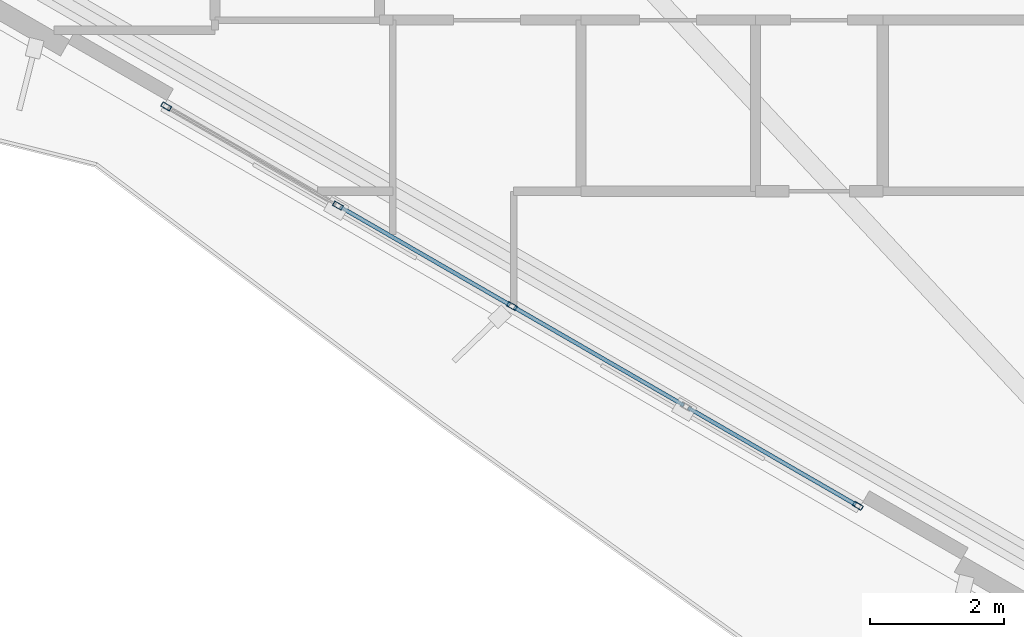
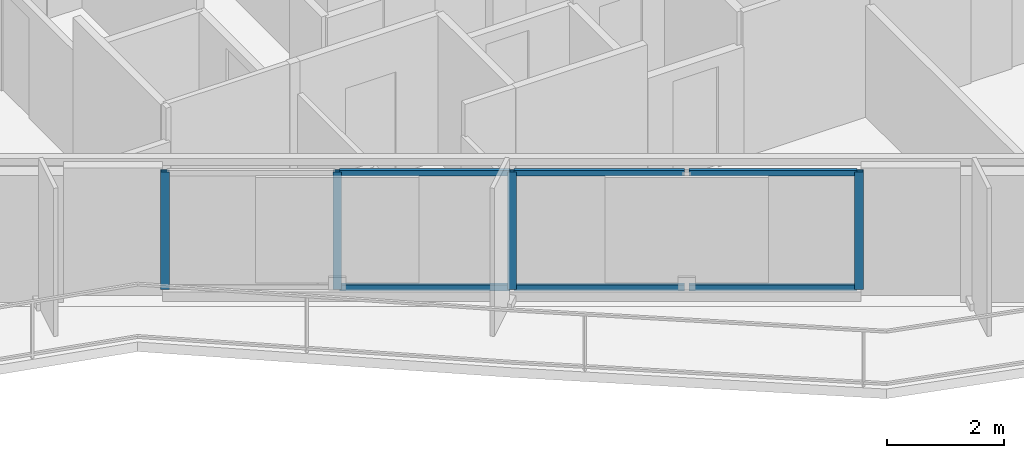
# One storey, part 2 of 19: 10 members, 1 element without a shape of its own.
"""IFC4 building model written with IfcOpenShell, lengths in metres."""

from ifc_helpers import new_model, si_unit, direction, frame, origin, origin_2d, place, context, subcontext, project, spatial, hollow_rectangle, extrude, material, layer, layer_set, material_profile, profile_set, type_object, element, aggregate, save


model = new_model("IFC4")

# Units and contexts
model_context = context("Model", 3, precision=1e-05, world=origin(), true_north=direction((0.0, 1.0)))
body_context = subcontext(model_context, "Body", "Model", "MODEL_VIEW")
ifc_project = project(units=[si_unit("LENGTHUNIT", "METRE"), si_unit("AREAUNIT", "SQUARE_METRE"), si_unit("VOLUMEUNIT", "CUBIC_METRE"), si_unit("PLANEANGLEUNIT", "RADIAN"), si_unit("MASSUNIT", "GRAM", prefix="KILO")], contexts=[model_context])

# Site, building, storey
site_placement = place(None, origin())
site = spatial("IfcSite", under=ifc_project, at=site_placement, CompositionType="ELEMENT")
building_placement = place(site_placement, origin())
building = spatial("IfcBuilding", under=site, at=building_placement, Name="Mersakhor Tower and Convention Hall", CompositionType="ELEMENT")
storey_placement = place(building_placement, frame((0.0, 0.0, 22.5)))
storey = spatial("IfcBuildingStorey", under=building, at=storey_placement, Name="L05", CompositionType="ELEMENT", Elevation=22.5)

# Curtain wall, members
ifc_material_1 = material(Name="Dark solar low-E aluminium curtain wall", Category="aluminium")
ifc_layer = layer(ifc_material_1, 0.159912109375)
ifc_layer_set = layer_set([ifc_layer], Name="Dark solar low-E aluminium curtain wall")
curtain_wall_type = type_object("IfcCurtainWallType", Name="CW-SYS-01", PredefinedType="USERDEFINED", material=ifc_layer_set)
curtain_wall_placement = place(storey_placement, origin())
curtain_wall = element("IfcCurtainWall", 1, at=curtain_wall_placement, inside=storey, type_object=curtain_wall_type, Name="L05 Dark-Glass Curtain Wall F3-B2", ObjectType="CURTAIN WALL", PredefinedType="USERDEFINED")
ifc_material_2 = material(Name="Anodised aluminium EN AW-6063 T6", Category="aluminium")
ifc_material_profile_1 = material_profile(ifc_material_2, hollow_rectangle(XDim=0.074951171875, YDim=0.14990234375, WallThickness=0.00634765625, at=origin_2d()), Name="RHS 150x75x6.3")
ifc_profile_set_1 = profile_set([ifc_material_profile_1], Name="Anodised aluminium EN AW-6063 T6")
member_type_1 = type_object("IfcMemberType", Name="CWM-150x75", PredefinedType="MULLION", material=ifc_profile_set_1)
member_1_placement = place(storey_placement, frame((26.72705078125, 10.9150390625, 0.199951171875), z_axis=(0.0, 0.0, 1.0), x_axis=(-0.50000344889, -0.866023412558, 0.0)))
member_1 = element("IfcMember", 2, at=member_1_placement, type_object=member_type_1, Name="CW-01 mullion 1", PredefinedType="MULLION", context=body_context, shape_type="SweptSolid", body=[
    extrude(hollow_rectangle(XDim=0.074951171875, YDim=0.14990234375, WallThickness=0.00634765625, at=origin_2d()), origin(), (0.0, 0.0, 1.0), 2.4599609375),
])
member_2_placement = place(storey_placement, frame((21.574951171875, 13.889404296875, 0.199951171875), z_axis=(0.0, 0.0, 1.0), x_axis=(-0.50000344889, -0.866023412558, 0.0)))
member_2 = element("IfcMember", 3, at=member_2_placement, type_object=member_type_1, Name="CW-01 mullion 3", PredefinedType="MULLION", context=body_context, shape_type="SweptSolid", body=[
    extrude(hollow_rectangle(XDim=0.074951171875, YDim=0.14990234375, WallThickness=0.00634765625, at=origin_2d()), origin(), (0.0, 0.0, 1.0), 2.4599609375),
])
member_3_placement = place(storey_placement, frame((18.982666015625, 15.38623046875, 0.199951171875), z_axis=(0.0, 0.0, 1.0), x_axis=(-0.50000344889, -0.866023412558, 0.0)))
member_3 = element("IfcMember", 4, at=member_3_placement, type_object=member_type_1, Name="CW-01 mullion 4", PredefinedType="MULLION", context=body_context, shape_type="SweptSolid", body=[
    extrude(hollow_rectangle(XDim=0.074951171875, YDim=0.14990234375, WallThickness=0.00634765625, at=origin_2d()), origin(), (0.0, 0.0, 1.0), 2.4599609375),
])
member_4_placement = place(storey_placement, frame((16.423095703125, 16.864013671875, 0.199951171875), z_axis=(0.0, 0.0, 1.0), x_axis=(-0.50000344889, -0.866023412558, 0.0)))
member_4 = element("IfcMember", 5, at=member_4_placement, type_object=member_type_1, Name="CW-01 mullion 5", PredefinedType="MULLION", context=body_context, shape_type="SweptSolid", body=[
    extrude(hollow_rectangle(XDim=0.074951171875, YDim=0.14990234375, WallThickness=0.00634765625, at=origin_2d()), origin(), (0.0, 0.0, 1.0), 2.4599609375),
])
ifc_material_3 = material(Name="Anodised aluminium EN AW-6063 T6", Category="aluminium")
ifc_material_profile_2 = material_profile(ifc_material_3, hollow_rectangle(XDim=0.06005859375, YDim=0.1201171875, WallThickness=0.0048828125, at=origin_2d()), Name="RHS 120x60x5")
ifc_profile_set_2 = profile_set([ifc_material_profile_2], Name="Anodised aluminium EN AW-6063 T6")
member_type_2 = type_object("IfcMemberType", Name="CWT-120x60", PredefinedType="USERDEFINED", material=ifc_profile_set_2)
member_5_placement = place(storey_placement, frame((26.694580078125, 10.93359375, 0.22998046875), z_axis=(-0.866023290103, 0.500003660985, 0.0), x_axis=(-0.500003660985, -0.866023290103, 0.0)))
member_5 = element("IfcMember", 6, at=member_5_placement, type_object=member_type_2, Name="CW-01 transom 1.1", ObjectType="TRANSOM", PredefinedType="USERDEFINED", context=body_context, shape_type="SweptSolid", body=[
    extrude(hollow_rectangle(XDim=0.06005859375, YDim=0.1201171875, WallThickness=0.0048828125, at=origin_2d()), origin(), (0.0, 0.0, 1.0), 2.880859375),
])
member_6_placement = place(storey_placement, frame((26.694580078125, 10.93359375, 2.6298828125), z_axis=(-0.866023290103, 0.500003660985, 0.0), x_axis=(-0.500003660985, -0.866023290103, 0.0)))
member_6 = element("IfcMember", 7, at=member_6_placement, type_object=member_type_2, Name="CW-01 transom 1.2", ObjectType="TRANSOM", PredefinedType="USERDEFINED", context=body_context, shape_type="SweptSolid", body=[
    extrude(hollow_rectangle(XDim=0.06005859375, YDim=0.1201171875, WallThickness=0.0048828125, at=origin_2d()), origin(), (0.0, 0.0, 1.0), 2.880859375),
])
member_7_placement = place(storey_placement, frame((24.134765625, 12.41162109375, 0.22998046875), z_axis=(-0.866015622527, 0.500016941252, 0.0), x_axis=(-0.500016941252, -0.866015622527, 0.0)))
member_7 = element("IfcMember", 8, at=member_7_placement, type_object=member_type_2, Name="CW-01 transom 2.1", ObjectType="TRANSOM", PredefinedType="USERDEFINED", context=body_context, shape_type="SweptSolid", body=[
    extrude(hollow_rectangle(XDim=0.06005859375, YDim=0.1201171875, WallThickness=0.0048828125, at=origin_2d()), origin(), (0.0, 0.0, 1.0), 2.91845703125),
])
member_8_placement = place(storey_placement, frame((24.134765625, 12.41162109375, 2.6298828125), z_axis=(-0.866015622527, 0.500016941252, 0.0), x_axis=(-0.500016941252, -0.866015622527, 0.0)))
member_8 = element("IfcMember", 9, at=member_8_placement, type_object=member_type_2, Name="CW-01 transom 2.2", ObjectType="TRANSOM", PredefinedType="USERDEFINED", context=body_context, shape_type="SweptSolid", body=[
    extrude(hollow_rectangle(XDim=0.06005859375, YDim=0.1201171875, WallThickness=0.0048828125, at=origin_2d()), origin(), (0.0, 0.0, 1.0), 2.91845703125),
])
member_9_placement = place(storey_placement, frame((21.54248046875, 13.908203125, 0.22998046875), z_axis=(-0.866015622527, 0.500016941252, 0.0), x_axis=(-0.500016941252, -0.866015622527, 0.0)))
member_9 = element("IfcMember", 10, at=member_9_placement, type_object=member_type_2, Name="CW-01 transom 3.1", ObjectType="TRANSOM", PredefinedType="USERDEFINED", context=body_context, shape_type="SweptSolid", body=[
    extrude(hollow_rectangle(XDim=0.06005859375, YDim=0.1201171875, WallThickness=0.0048828125, at=origin_2d()), origin(), (0.0, 0.0, 1.0), 2.91845703125),
])
member_10_placement = place(storey_placement, frame((21.54248046875, 13.908203125, 2.6298828125), z_axis=(-0.866015622527, 0.500016941252, 0.0), x_axis=(-0.500016941252, -0.866015622527, 0.0)))
member_10 = element("IfcMember", 11, at=member_10_placement, type_object=member_type_2, Name="CW-01 transom 3.2", ObjectType="TRANSOM", PredefinedType="USERDEFINED", context=body_context, shape_type="SweptSolid", body=[
    extrude(hollow_rectangle(XDim=0.06005859375, YDim=0.1201171875, WallThickness=0.0048828125, at=origin_2d()), origin(), (0.0, 0.0, 1.0), 2.91845703125),
])
aggregate(curtain_wall, [member_1, member_2, member_3, member_4, member_5, member_6, member_7, member_8, member_9, member_10])

save(model, "model.ifc")
